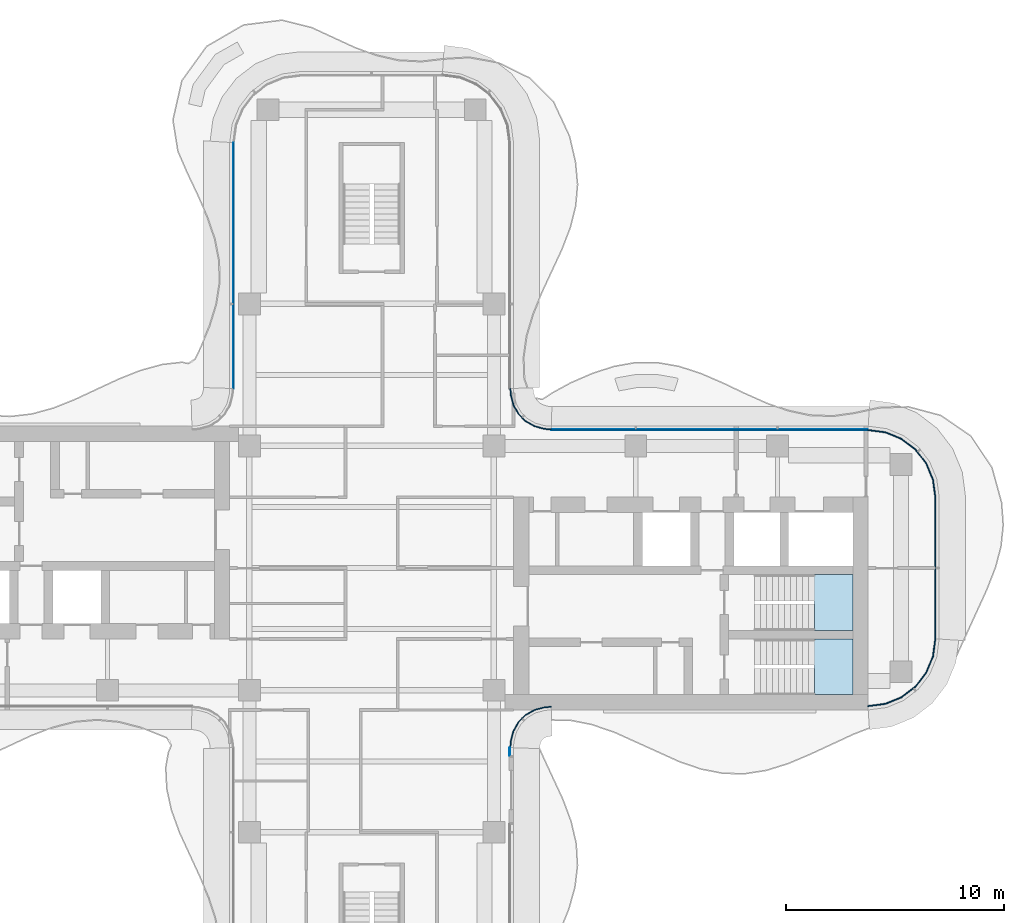
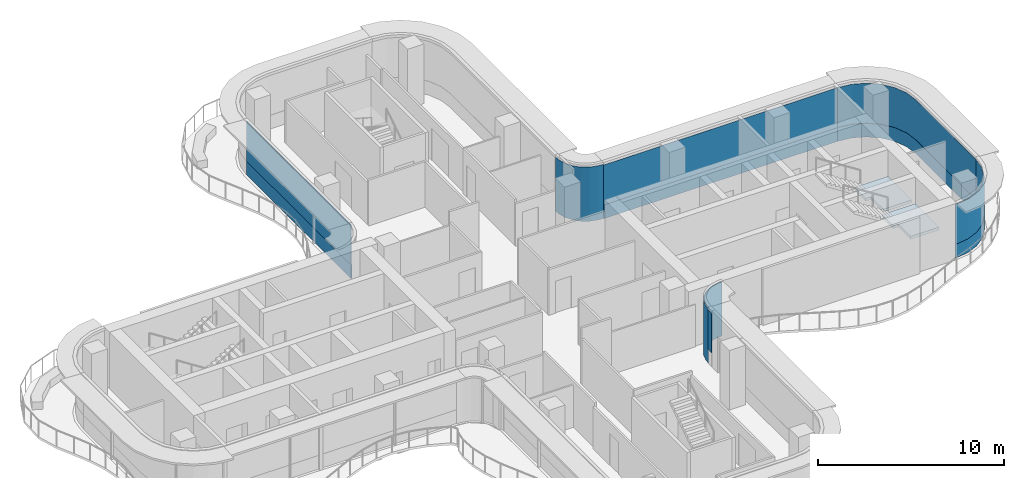
# One storey, part 10 of 17: 11 plates, 2 slabs, 9 elements without a shape of their own.
"""IFC4 building model written with IfcOpenShell, lengths in metres."""

from ifc_helpers import new_model, si_unit, direction, frame, origin, place, context, subcontext, project, spatial, polyline, outline, extrude, source, transform, mapped, material, layer, layer_set, type_object, element, aggregate, save


model = new_model("IFC4")

# Units and contexts
model_context = context("Model", 3, precision=1e-05, world=origin(), true_north=direction((0.0, 1.0)))
body_context = subcontext(model_context, "Body", "Model", "MODEL_VIEW")
ifc_project = project(units=[si_unit("LENGTHUNIT", "METRE"), si_unit("AREAUNIT", "SQUARE_METRE"), si_unit("VOLUMEUNIT", "CUBIC_METRE"), si_unit("PLANEANGLEUNIT", "RADIAN"), si_unit("MASSUNIT", "GRAM", prefix="KILO")], contexts=[model_context])

# Site, building, storey
site_placement = place(None, origin())
site = spatial("IfcSite", under=ifc_project, at=site_placement, CompositionType="ELEMENT")
building_placement = place(site_placement, origin())
building = spatial("IfcBuilding", under=site, at=building_placement, Name="Trellis Farm Tower", CompositionType="ELEMENT")
storey_placement = place(building_placement, frame((0.0, 0.0, 283.300048828125)))
storey = spatial("IfcBuildingStorey", under=building, at=storey_placement, Name="L63", CompositionType="ELEMENT", Elevation=283.300048828125)

# Stair, slab
ifc_material_1 = material(Name="Concrete C50/60", Category="concrete")
stair_type = type_object("IfcStairType", Name="CORE EXIT STAIR 22 RISERS 177 MM", PredefinedType="HALF_TURN_STAIR", material=ifc_material_1)
placement_1 = place(storey_placement, origin())
stair_1 = element("IfcStair", 1, at=placement_1, inside=storey, type_object=stair_type, Name="Exit stair E1", PredefinedType="HALF_TURN_STAIR")
ifc_layer_1 = layer(ifc_material_1, 0.18994140625)
ifc_layer_set_1 = layer_set([ifc_layer_1], Name="CORE STAIR LANDING 190 CONCRETE C50/60")
slab_type = type_object("IfcSlabType", Name="CORE STAIR LANDING 190 CONCRETE C50/60", PredefinedType="LANDING", material=ifc_layer_set_1)
shared_shape_1 = source(origin(), body_context, "Body", "SweptSolid", [
    extrude(outline(polyline([(20.2900390625, -5.800048828125), (20.2900390625, -4.60009765625), (20.300048828125, -4.60009765625), (20.300048828125, -4.449951171875), (19.971923828125, -4.449951171875), (19.971923828125, -3.25), (20.300048828125, -3.25), (22.050048828125, -3.25), (22.050048828125, -5.800048828125), (20.300048828125, -5.800048828125), (20.2900390625, -5.800048828125)])), origin(), (0.0, 0.0, 1.0), 0.18994140625),
])
placement_2 = place(storey_placement, frame((0.0, 0.0, 1.760009765625)))
slab_1 = element("IfcSlab", 2, at=placement_2, type_object=slab_type, Name="STE1 landing 1", PredefinedType="LANDING", context=body_context, shape_type="MappedRepresentation", body=[
    mapped(shared_shape_1, transform((0.0, 0.0, 0.0))),
])
aggregate(stair_1, [slab_1])

stair_2 = element("IfcStair", 3, at=placement_1, inside=storey, type_object=stair_type, Name="Exit stair E2", PredefinedType="HALF_TURN_STAIR")
shared_shape_2 = source(origin(), body_context, "Body", "SweptSolid", [
    extrude(outline(polyline([(20.2900390625, -2.85009765625), (20.2900390625, -1.64990234375), (20.300048828125, -1.64990234375), (20.300048828125, -1.5), (19.971923828125, -1.5), (19.971923828125, -0.300048828125), (20.300048828125, -0.300048828125), (22.050048828125, -0.300048828125), (22.050048828125, -2.85009765625), (20.300048828125, -2.85009765625), (20.2900390625, -2.85009765625)])), origin(), (0.0, 0.0, 1.0), 0.18994140625),
])
slab_2 = element("IfcSlab", 4, at=placement_2, type_object=slab_type, Name="STE2 landing 1", PredefinedType="LANDING", context=body_context, shape_type="MappedRepresentation", body=[
    mapped(shared_shape_2, transform((0.0, 0.0, 0.0))),
])
aggregate(stair_2, [slab_2])

# Curtain wall, plate
ifc_material_2 = material(Name="Aluminium and glass curtain wall", Category="aluminium")
ifc_layer_2 = layer(ifc_material_2, 0.166015625)
ifc_layer_set_2 = layer_set([ifc_layer_2], Name="WINTER GARDEN CURTAIN WALL CW3")
curtain_wall_type_1 = type_object("IfcCurtainWallType", Name="WINTER GARDEN CURTAIN WALL CW3", PredefinedType="NOTDEFINED", material=ifc_layer_set_2)
curtain_wall_1 = element("IfcCurtainWall", 5, at=placement_1, inside=storey, type_object=curtain_wall_type_1, Name="CW3 002", PredefinedType="NOTDEFINED")
ifc_material_3 = material(Name="Clear insulated glass", Category="glass")
ifc_layer_3 = layer(ifc_material_3, 0.0458984375)
ifc_layer_set_3 = layer_set([ifc_layer_3], Name="CW3 GLASS PANEL 46")
plate_type_1 = type_object("IfcPlateType", Name="CW3 GLASS PANEL 46", PredefinedType="CURTAIN_PANEL", material=ifc_layer_set_3)
shared_shape_3 = source(origin(), body_context, "Body", "SweptSolid", [
    extrude(outline(polyline([(6.3798828125, -8.2275390625), (6.394287109375, -8.0078125), (6.40966796875, -7.89208984375), (6.52490234375, -7.462158203125), (6.7509765625, -7.070556640625), (7.070556640625, -6.7509765625), (7.462158203125, -6.52490234375), (7.89208984375, -6.40966796875), (8.0078125, -6.394287109375), (8.2275390625, -6.3798828125), (8.22607421875, -6.333984375), (8.003173828125, -6.3486328125), (7.883056640625, -6.364501953125), (7.4443359375, -6.48193359375), (7.04248046875, -6.714111328125), (6.714111328125, -7.04248046875), (6.48193359375, -7.4443359375), (6.364501953125, -7.883056640625), (6.3486328125, -8.003173828125), (6.333984375, -8.22607421875), (6.3798828125, -8.2275390625)])), origin(), (0.0, 0.0, 1.0), 3.550048828125),
])
plate_1 = element("IfcPlate", 6, at=placement_1, type_object=plate_type_1, Name="PL3 002", PredefinedType="CURTAIN_PANEL", context=body_context, shape_type="MappedRepresentation", body=[
    mapped(shared_shape_3, transform((0.0, 0.0, 0.0))),
])
aggregate(curtain_wall_1, [plate_1])

curtain_wall_2 = element("IfcCurtainWall", 7, at=placement_1, inside=storey, type_object=curtain_wall_type_1, Name="CW3 003", PredefinedType="NOTDEFINED")
shared_shape_4 = source(origin(), body_context, "Body", "SweptSolid", [
    extrude(outline(polyline([(8.2275390625, 6.3798828125), (8.0078125, 6.394287109375), (7.89208984375, 6.40966796875), (7.462158203125, 6.52490234375), (7.070556640625, 6.7509765625), (6.7509765625, 7.070556640625), (6.52490234375, 7.462158203125), (6.40966796875, 7.89208984375), (6.394287109375, 8.0078125), (6.3798828125, 8.2275390625), (6.333984375, 8.22607421875), (6.3486328125, 8.003173828125), (6.364501953125, 7.883056640625), (6.48193359375, 7.4443359375), (6.714111328125, 7.04248046875), (7.04248046875, 6.714111328125), (7.4443359375, 6.48193359375), (7.883056640625, 6.364501953125), (8.003173828125, 6.3486328125), (8.22607421875, 6.333984375), (8.2275390625, 6.3798828125)])), origin(), (0.0, 0.0, 1.0), 3.550048828125),
])
plate_2 = element("IfcPlate", 8, at=placement_1, type_object=plate_type_1, Name="PL3 003", PredefinedType="CURTAIN_PANEL", context=body_context, shape_type="MappedRepresentation", body=[
    mapped(shared_shape_4, transform((0.0, 0.0, 0.0))),
])
aggregate(curtain_wall_2, [plate_2])

# Curtain wall, plates
ifc_layer_4 = layer(ifc_material_2, 0.18994140625)
ifc_layer_set_4 = layer_set([ifc_layer_4], Name="RIBBON CURTAIN WALL CW1")
curtain_wall_type_2 = type_object("IfcCurtainWallType", Name="RIBBON CURTAIN WALL CW1", PredefinedType="NOTDEFINED", material=ifc_layer_set_4)
curtain_wall_3 = element("IfcCurtainWall", 9, at=placement_1, inside=storey, type_object=curtain_wall_type_2, Name="CW1 011", PredefinedType="NOTDEFINED")
ifc_layer_5 = layer(ifc_material_3, 0.0400390625)
ifc_layer_set_5 = layer_set([ifc_layer_5], Name="CW1 GLASS PANEL 40")
plate_type_2 = type_object("IfcPlateType", Name="CW1 GLASS PANEL 40", PredefinedType="CURTAIN_PANEL", material=ifc_layer_set_5)
shared_shape_5 = source(origin(), body_context, "Body", "SweptSolid", [
    extrude(outline(polyline([(-6.35009765625, 19.490234375), (-6.35009765625, 8.2265625), (-6.31005859375, 8.22509765625), (-6.31005859375, 19.487548828125), (-6.35009765625, 19.490234375)])), origin(), (0.0, 0.0, 1.0), 2.6201171875),
])
placement_3 = place(storey_placement, frame((0.0, 0.0, 0.89990234375)))
plate_3 = element("IfcPlate", 10, at=placement_3, type_object=plate_type_2, Name="PL1 011", PredefinedType="CURTAIN_PANEL", context=body_context, shape_type="MappedRepresentation", body=[
    mapped(shared_shape_5, transform((0.0, 0.0, 0.0))),
])
ifc_material_4 = material(Name="Sandstone faced insulated panel", Category="masonry")
ifc_layer_6 = layer(ifc_material_4, 0.050048828125)
ifc_layer_set_6 = layer_set([ifc_layer_6], Name="CW1 STONE SPANDREL PANEL 50")
plate_type_3 = type_object("IfcPlateType", Name="CW1 STONE SPANDREL PANEL 50", PredefinedType="CURTAIN_PANEL", material=ifc_layer_set_6)
shared_shape_6 = source(origin(), body_context, "Body", "SweptSolid", [
    extrude(outline(polyline([(-6.35009765625, 19.490234375), (-6.35009765625, 8.2265625), (-6.300048828125, 8.224853515625), (-6.300048828125, 19.48681640625), (-6.35009765625, 19.490234375)])), origin(), (0.0, 0.0, 1.0), 0.89990234375),
])
plate_4 = element("IfcPlate", 11, at=placement_1, type_object=plate_type_3, Name="PS1 011", PredefinedType="CURTAIN_PANEL", context=body_context, shape_type="MappedRepresentation", body=[
    mapped(shared_shape_6, transform((0.0, 0.0, 0.0))),
])
aggregate(curtain_wall_3, [plate_3, plate_4])

curtain_wall_4 = element("IfcCurtainWall", 12, at=placement_1, inside=storey, type_object=curtain_wall_type_2, Name="CW1 006", PredefinedType="NOTDEFINED")
shared_shape_7 = source(origin(), body_context, "Body", "SweptSolid", [
    extrude(outline(polyline([(22.740234375, -6.35009765625), (23.552001953125, -6.2431640625), (24.29931640625, -5.93359375), (24.941162109375, -5.441162109375), (25.43359375, -4.79931640625), (25.7431640625, -4.052001953125), (25.85009765625, -3.240234375), (25.81005859375, -3.237548828125), (25.7041015625, -4.04150390625), (25.398681640625, -4.779296875), (24.91259765625, -5.41259765625), (24.279296875, -5.898681640625), (23.54150390625, -6.2041015625), (22.737548828125, -6.31005859375), (22.740234375, -6.35009765625)])), origin(), (0.0, 0.0, 1.0), 2.6201171875),
])
plate_5 = element("IfcPlate", 13, at=placement_3, type_object=plate_type_2, Name="PL1 006", PredefinedType="CURTAIN_PANEL", context=body_context, shape_type="MappedRepresentation", body=[
    mapped(shared_shape_7, transform((0.0, 0.0, 0.0))),
])
shared_shape_8 = source(origin(), body_context, "Body", "SweptSolid", [
    extrude(outline(polyline([(22.740234375, -6.35009765625), (23.552001953125, -6.2431640625), (24.29931640625, -5.93359375), (24.941162109375, -5.441162109375), (25.43359375, -4.79931640625), (25.7431640625, -4.052001953125), (25.85009765625, -3.240234375), (25.800048828125, -3.23681640625), (25.6943359375, -4.0390625), (25.389892578125, -4.774169921875), (24.905517578125, -5.405517578125), (24.274169921875, -5.889892578125), (23.5390625, -6.1943359375), (22.73681640625, -6.300048828125), (22.740234375, -6.35009765625)])), origin(), (0.0, 0.0, 1.0), 0.89990234375),
])
plate_6 = element("IfcPlate", 14, at=placement_1, type_object=plate_type_3, Name="PS1 006", PredefinedType="CURTAIN_PANEL", context=body_context, shape_type="MappedRepresentation", body=[
    mapped(shared_shape_8, transform((0.0, 0.0, 0.0))),
])
aggregate(curtain_wall_4, [plate_5, plate_6])

curtain_wall_5 = element("IfcCurtainWall", 15, at=placement_1, inside=storey, type_object=curtain_wall_type_2, Name="CW1 007", PredefinedType="NOTDEFINED")
shared_shape_9 = source(origin(), body_context, "Body", "SweptSolid", [
    extrude(outline(polyline([(25.85009765625, -3.240234375), (25.85009765625, 3.240234375), (25.7431640625, 4.052001953125), (25.43359375, 4.79931640625), (24.941162109375, 5.441162109375), (24.29931640625, 5.93359375), (23.552001953125, 6.2431640625), (22.740234375, 6.35009765625), (22.737548828125, 6.31005859375), (23.54150390625, 6.2041015625), (24.279296875, 5.898681640625), (24.91259765625, 5.41259765625), (25.398681640625, 4.779296875), (25.7041015625, 4.04150390625), (25.81005859375, 3.237548828125), (25.81005859375, -3.237548828125), (25.85009765625, -3.240234375)])), origin(), (0.0, 0.0, 1.0), 2.6201171875),
])
plate_7 = element("IfcPlate", 16, at=placement_3, type_object=plate_type_2, Name="PL1 007", PredefinedType="CURTAIN_PANEL", context=body_context, shape_type="MappedRepresentation", body=[
    mapped(shared_shape_9, transform((0.0, 0.0, 0.0))),
])
shared_shape_10 = source(origin(), body_context, "Body", "SweptSolid", [
    extrude(outline(polyline([(25.85009765625, -3.240234375), (25.85009765625, 3.240234375), (25.7431640625, 4.052001953125), (25.43359375, 4.79931640625), (24.941162109375, 5.441162109375), (24.29931640625, 5.93359375), (23.552001953125, 6.2431640625), (22.740234375, 6.35009765625), (22.73681640625, 6.300048828125), (23.5390625, 6.1943359375), (24.274169921875, 5.889892578125), (24.905517578125, 5.405517578125), (25.389892578125, 4.774169921875), (25.6943359375, 4.0390625), (25.800048828125, 3.23681640625), (25.800048828125, -3.23681640625), (25.85009765625, -3.240234375)])), origin(), (0.0, 0.0, 1.0), 0.89990234375),
])
plate_8 = element("IfcPlate", 17, at=placement_1, type_object=plate_type_3, Name="PS1 007", PredefinedType="CURTAIN_PANEL", context=body_context, shape_type="MappedRepresentation", body=[
    mapped(shared_shape_10, transform((0.0, 0.0, 0.0))),
])
aggregate(curtain_wall_5, [plate_7, plate_8])

curtain_wall_6 = element("IfcCurtainWall", 18, at=placement_1, inside=storey, type_object=curtain_wall_type_2, Name="CW1 008", PredefinedType="NOTDEFINED")
shared_shape_11 = source(origin(), body_context, "Body", "SweptSolid", [
    extrude(outline(polyline([(22.740234375, 6.35009765625), (8.2265625, 6.35009765625), (8.22509765625, 6.31005859375), (22.737548828125, 6.31005859375), (22.740234375, 6.35009765625)])), origin(), (0.0, 0.0, 1.0), 2.6201171875),
])
plate_9 = element("IfcPlate", 19, at=placement_3, type_object=plate_type_2, Name="PL1 008", PredefinedType="CURTAIN_PANEL", context=body_context, shape_type="MappedRepresentation", body=[
    mapped(shared_shape_11, transform((0.0, 0.0, 0.0))),
])
shared_shape_12 = source(origin(), body_context, "Body", "SweptSolid", [
    extrude(outline(polyline([(22.740234375, 6.35009765625), (8.2265625, 6.35009765625), (8.224853515625, 6.300048828125), (22.73681640625, 6.300048828125), (22.740234375, 6.35009765625)])), origin(), (0.0, 0.0, 1.0), 0.89990234375),
])
plate_10 = element("IfcPlate", 20, at=placement_1, type_object=plate_type_3, Name="PS1 008", PredefinedType="CURTAIN_PANEL", context=body_context, shape_type="MappedRepresentation", body=[
    mapped(shared_shape_12, transform((0.0, 0.0, 0.0))),
])
aggregate(curtain_wall_6, [plate_9, plate_10])

# Curtain wall, plate
curtain_wall_7 = element("IfcCurtainWall", 21, at=placement_1, inside=storey, type_object=curtain_wall_type_2, Name="CW1 005", PredefinedType="NOTDEFINED")
shared_shape_13 = source(origin(), body_context, "Body", "SweptSolid", [
    extrude(outline(polyline([(6.35009765625, -8.605712890625), (6.35009765625, -8.2265625), (6.31005859375, -8.22509765625), (6.31005859375, -8.605712890625), (6.35009765625, -8.605712890625)])), origin(), (0.0, 0.0, 1.0), 2.6201171875),
])
plate_11 = element("IfcPlate", 22, at=placement_3, type_object=plate_type_2, Name="PL1 005", PredefinedType="CURTAIN_PANEL", context=body_context, shape_type="MappedRepresentation", body=[
    mapped(shared_shape_13, transform((0.0, 0.0, 0.0))),
])
aggregate(curtain_wall_7, [plate_11])

save(model, "model.ifc")
